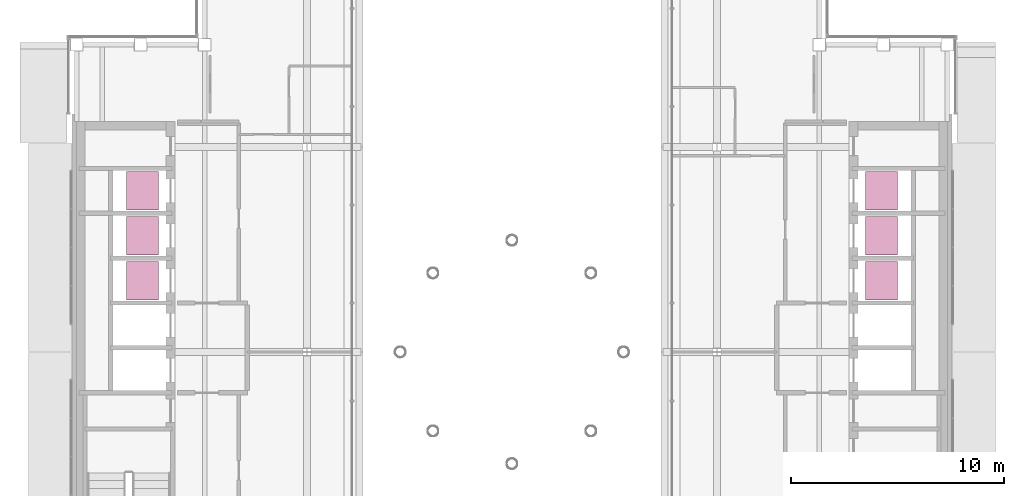
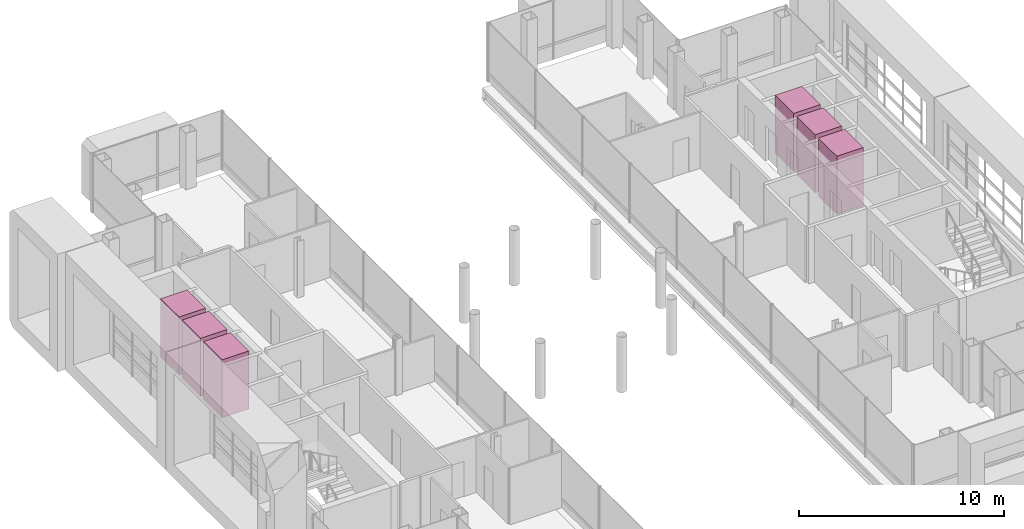
# One storey, part 21 of 21: 6 transport elements.
"""IFC4 building model written with IfcOpenShell, lengths in metres."""

from ifc_helpers import new_model, si_unit, direction, frame, origin, origin_2d, place, context, subcontext, project, spatial, rectangle, extrude, material, type_object, element, save


model = new_model("IFC4")

# Units and contexts
model_context = context("Model", 3, precision=1e-05, world=origin(), true_north=direction((0.0, 1.0)))
body_context = subcontext(model_context, "Body", "Model", "MODEL_VIEW")
ifc_project = project(units=[si_unit("LENGTHUNIT", "METRE"), si_unit("AREAUNIT", "SQUARE_METRE"), si_unit("VOLUMEUNIT", "CUBIC_METRE"), si_unit("PLANEANGLEUNIT", "RADIAN"), si_unit("MASSUNIT", "GRAM", prefix="KILO")], contexts=[model_context])

# Site, building, storey
site_placement = place(None, origin())
site = spatial("IfcSite", under=ifc_project, at=site_placement, CompositionType="ELEMENT")
building_placement = place(site_placement, origin())
building = spatial("IfcBuilding", under=site, at=building_placement, Name="Cobrizo Arcos Hotel Tower", CompositionType="ELEMENT")
storey_placement = place(building_placement, frame((0.0, 0.0, 269.0)))
storey = spatial("IfcBuildingStorey", under=building, at=storey_placement, Name="L71", CompositionType="ELEMENT", Elevation=269.0)

# Transport elements
ifc_material = material(Name="Stainless steel car", Category="steel")
transport_element_type = type_object("IfcTransportElementType", Name="Lift car High 1.8x1.5", PredefinedType="ELEVATOR", material=ifc_material)
for number, where, z_axis, x_axis, name in (
    (1, (-17.300048828125, 3.35009765625, 0.0), (0.0, 0.0, 1.0), (1.0, 0.0, 0.0), "High-rise passenger lift W1"),
    (2, (-17.300048828125, 5.449951171875, 0.0), (0.0, 0.0, 1.0), (1.0, 0.0, 0.0), "High-rise passenger lift W2"),
    (3, (-17.300048828125, 7.550048828125, 0.0), (0.0, 0.0, 1.0), (1.0, 0.0, 0.0), "High-rise passenger lift W3"),
    (4, (17.300048828125, 3.35009765625, 0.0), (0.0, 0.0, 1.0), (1.0, 0.0, 0.0), "High-rise passenger lift E1"),
    (5, (17.300048828125, 5.449951171875, 0.0), (0.0, 0.0, 1.0), (1.0, 0.0, 0.0), "High-rise passenger lift E2"),
    (6, (17.300048828125, 7.550048828125, 0.0), (0.0, 0.0, 1.0), (1.0, 0.0, 0.0), "High-rise passenger lift E3"),
):
    element("IfcTransportElement", number, at=place(storey_placement, frame(where, z_axis=z_axis, x_axis=x_axis)), inside=storey, type_object=transport_element_type, Name=name, PredefinedType="ELEVATOR", context=body_context, shape_type="SweptSolid", body=[
        extrude(rectangle(XDim=1.5, YDim=1.800048828125, at=origin_2d()), origin(), (0.0, 0.0, 1.0), 3.449951171875),
    ])

save(model, "model.ifc")
